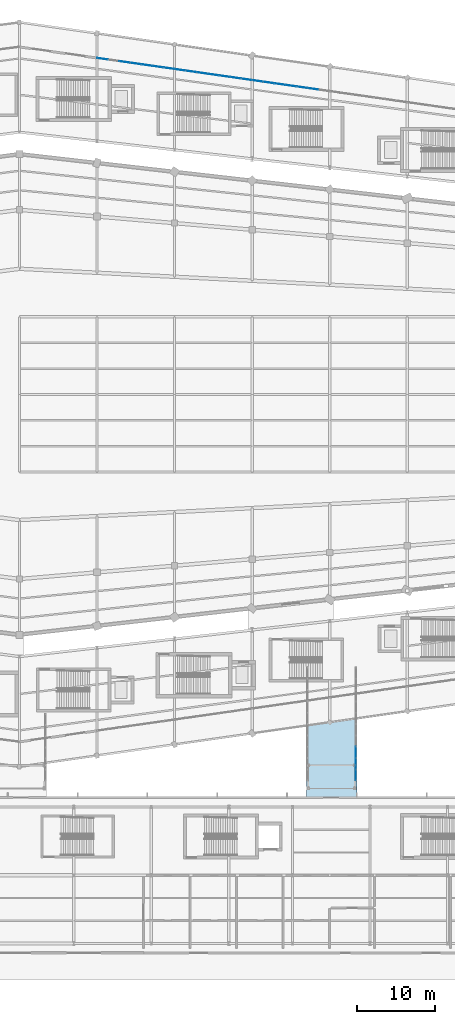
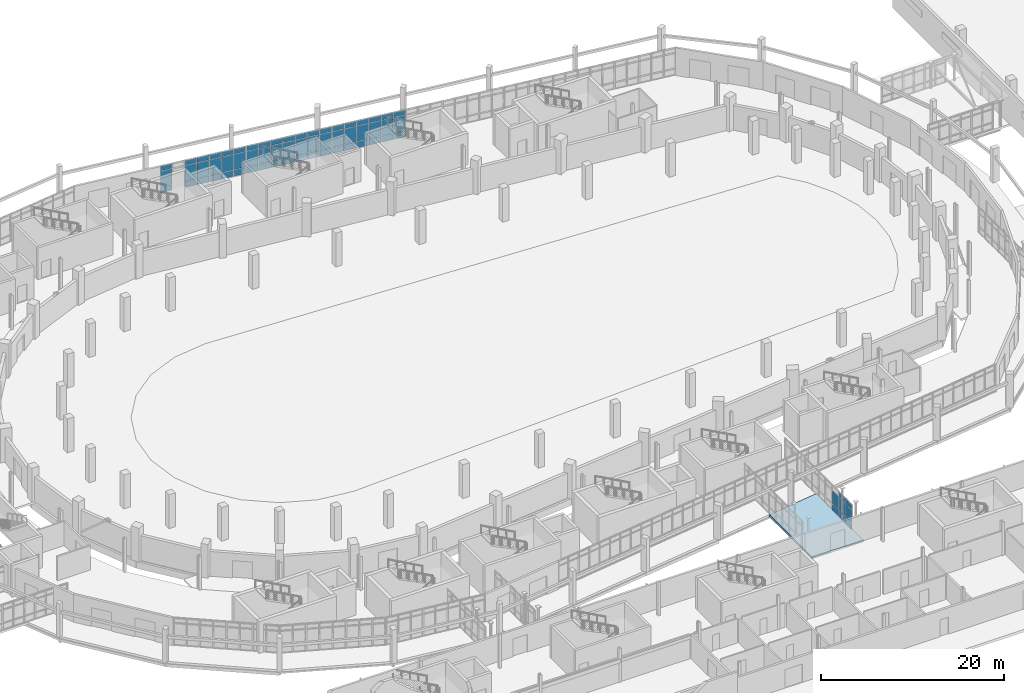
# One storey, part 89 of 122: 65 plates, 1 slab, 4 elements without a shape of their own.
"""IFC4 building model written with IfcOpenShell, lengths in metres."""

import ifcopenshell
import ifcopenshell.guid

model = None  # the IFC model being written
_history = None  # IfcOwnerHistory: only IFC2X3 demands one
_inside = {}  # id of a spatial element -> (the spatial element, [elements in it])
_under = {}  # id of a project, library or spatial element -> (it, [spatial elements below it])
_declared = {}  # id of a project -> (the project, [libraries it declares])
_typed = {}  # id of a type object -> (the type object, [elements of that type])
_made_of = {}  # id of a material, layer set ... -> (it, [elements and type objects made of it])


def new_model(schema):
    """Start an empty IFC model of exactly this schema.

    Asked for "IFC4X3", IfcOpenShell would pick the latest addendum, in which some entities
    have other attributes; the version numbers below select the first issue.
    IFC2X3 requires an IfcOwnerHistory on every rooted entity: one is made here for all.
    """
    global model, _history
    if schema == "IFC4X3":
        model = ifcopenshell.file(schema_version=(4, 3, 0, 0))
    else:
        model = ifcopenshell.file(schema=schema)
    _inside.clear()
    _under.clear()
    _declared.clear()
    _typed.clear()
    _made_of.clear()
    _history = None
    if model.schema == "IFC2X3":
        org = make("IfcOrganization", Name="unknown")
        user = make(
            "IfcPersonAndOrganization",
            ThePerson=make("IfcPerson", FamilyName="unknown"),
            TheOrganization=org,
        )
        app = make(
            "IfcApplication",
            ApplicationDeveloper=org,
            Version="unknown",
            ApplicationFullName="unknown",
            ApplicationIdentifier="unknown",
        )
        _history = make(
            "IfcOwnerHistory",
            OwningUser=user,
            OwningApplication=app,
            ChangeAction="ADDED",
            CreationDate=0,
        )
    return model


def make(cls, **values):
    """One entity of the class cls with the attributes given. An attribute that is None is left unset."""
    return model.create_entity(
        cls, **{name: value for name, value in values.items() if value is not None}
    )


def rooted(cls, **values):
    """An entity with a GlobalId (a new one), such as an element, a storey or a relation."""
    return make(cls, GlobalId=ifcopenshell.guid.new(), OwnerHistory=_history, **values)


def si_unit(unit_type, name, prefix=None):
    """IfcSIUnit, for example si_unit("LENGTHUNIT", "METRE", prefix="MILLI")."""
    return make("IfcSIUnit", UnitType=unit_type, Prefix=prefix, Name=name)


def assignment(units):
    """IfcUnitAssignment: the units of a project."""
    return None if units is None else make("IfcUnitAssignment", Units=units)


def point(xyz):
    """IfcCartesianPoint."""
    return None if xyz is None else make("IfcCartesianPoint", Coordinates=xyz)


def direction(xyz):
    """IfcDirection."""
    return None if xyz is None else make("IfcDirection", DirectionRatios=xyz)


def frame(location, z_axis=None, x_axis=None):
    """IfcAxis2Placement3D, a coordinate frame: its origin and axes. An axis left out is left unset."""
    return make(
        "IfcAxis2Placement3D",
        Location=point(location),
        Axis=direction(z_axis),
        RefDirection=direction(x_axis),
    )


def frame_2d(location, x_axis=None):
    """IfcAxis2Placement2D, a coordinate frame in the plane: its origin and x axis."""
    return make(
        "IfcAxis2Placement2D", Location=point(location), RefDirection=direction(x_axis)
    )


def origin():
    """The frame at (0, 0, 0) with its axes left unset."""
    return frame((0.0, 0.0, 0.0))


def origin_2d():
    """The frame at (0, 0) in the plane with its x axis left unset."""
    return frame_2d((0.0, 0.0))


def place(relative_to, where):
    """IfcLocalPlacement: puts the frame where relative to a parent placement (None: the world)."""
    return make(
        "IfcLocalPlacement", PlacementRelTo=relative_to, RelativePlacement=where
    )


def context(
    kind, dimensions, precision=None, world=None, true_north=None, identifier=None
):
    """IfcGeometricRepresentationContext, for example the 3D "Model" context."""
    return make(
        "IfcGeometricRepresentationContext",
        ContextIdentifier=identifier,
        ContextType=kind,
        CoordinateSpaceDimension=dimensions,
        Precision=precision,
        WorldCoordinateSystem=world,
        TrueNorth=true_north,
    )


def subcontext(parent, identifier, kind, view, scale=None):
    """IfcGeometricRepresentationSubContext, for example "Body" below "Model"."""
    return make(
        "IfcGeometricRepresentationSubContext",
        ContextIdentifier=identifier,
        ContextType=kind,
        ParentContext=parent,
        TargetScale=scale,
        TargetView=view,
    )


def project(units=None, contexts=None):
    """IfcProject with its units and contexts."""
    return rooted(
        "IfcProject",
        Name="project",
        RepresentationContexts=contexts,
        UnitsInContext=assignment(units),
    )


def spatial(cls, under=None, at=None, **own):
    """A site, building, storey or space (cls), placed at a placement, below another one or the project."""
    s = rooted(cls, ObjectPlacement=at, **own)
    if under is not None:
        _under.setdefault(under.id(), (under, []))[1].append(s)
    return s


def polyline(points):
    """IfcPolyline through the points."""
    return make("IfcPolyline", Points=[point(p) for p in points])


def profile(cls, at=None, kind="AREA", **sizes):
    """A parametric profile (cls). Its sizes go by their IFC names, for example OverallWidth=200.0."""
    return make(cls, ProfileType=kind, Position=at, **sizes)


def rectangle(**sizes):
    """IfcRectangleProfileDef."""
    return profile("IfcRectangleProfileDef", **sizes)


def outline(outer, holes=None, kind="AREA"):
    """IfcArbitraryClosedProfileDef: a profile drawn as a closed curve; with holes, ...WithVoids."""
    if holes is None:
        return make("IfcArbitraryClosedProfileDef", ProfileType=kind, OuterCurve=outer)
    return make(
        "IfcArbitraryProfileDefWithVoids",
        ProfileType=kind,
        OuterCurve=outer,
        InnerCurves=holes,
    )


def extrude(swept, where, along, depth):
    """IfcExtrudedAreaSolid: the profile swept, set in the frame where, extruded along a direction by depth."""
    return make(
        "IfcExtrudedAreaSolid",
        SweptArea=swept,
        Position=where,
        ExtrudedDirection=direction(along),
        Depth=depth,
    )


def shape(context_of_items, identifier, shape_type, items):
    """IfcShapeRepresentation: the items that make up one representation, for example the "Body"."""
    return make(
        "IfcShapeRepresentation",
        ContextOfItems=context_of_items,
        RepresentationIdentifier=identifier,
        RepresentationType=shape_type,
        Items=items,
    )


def material(Name=None, Category=None):
    """IfcMaterial."""
    return make("IfcMaterial", Name=Name, Category=Category)


def layer(
    of_material, thickness, ventilated=None, Name=None, Category=None, Priority=None
):
    """IfcMaterialLayer: one layer of a wall or slab, of a material (None: an air gap)."""
    return make(
        "IfcMaterialLayer",
        Material=of_material,
        LayerThickness=thickness,
        IsVentilated=ventilated,
        Name=Name,
        Category=Category,
        Priority=Priority,
    )


def layer_set(layers, Name=None):
    """IfcMaterialLayerSet."""
    return make("IfcMaterialLayerSet", MaterialLayers=layers, LayerSetName=Name)


def made_of(thing, what):
    """Note that an element or type object is made of a material, layer set ...; save() writes the relation."""
    if what is not None:
        _made_of.setdefault(what.id(), (what, []))[1].append(thing)
    return thing


def type_object(cls, material=None, **own):
    """A type object (cls), such as IfcWallType, which elements share."""
    return made_of(rooted(cls, **own), material)


def element(
    cls,
    number,
    at=None,
    inside=None,
    cuts=None,
    type_object=None,
    material=None,
    context=None,
    identifier="Body",
    shape_type=None,
    held_by="IfcProductDefinitionShape",
    body=None,
    shapes=None,
    **own,
):
    """One element of the class cls, such as IfcWall. Its Tag is "e" and its number.

    at: its placement. inside: the storey or other place that contains it. cuts: it is an
    opening in that element (IfcRelVoidsElement). A single representation is given by context,
    identifier, shape_type and body (its items); several are given by shapes. held_by: the class
    of the entity that holds the representations. save() writes the other relations.
    """
    e = rooted(cls, Tag="e%d" % number, ObjectPlacement=at, **own)
    if body is not None:
        shapes = [shape(context, identifier, shape_type, body)]
    if shapes is not None:
        e.Representation = make(held_by, Representations=shapes)
    if inside is not None:
        _inside.setdefault(inside.id(), (inside, []))[1].append(e)
    if cuts is not None:
        rooted(
            "IfcRelVoidsElement", RelatingBuildingElement=cuts, RelatedOpeningElement=e
        )
    if type_object is not None:
        _typed.setdefault(type_object.id(), (type_object, []))[1].append(e)
    return made_of(e, material)


def aggregate(whole, parts):
    """IfcRelAggregates: a whole, such as a stair, and the parts it consists of."""
    return rooted("IfcRelAggregates", RelatingObject=whole, RelatedObjects=parts)


def save(model, path):
    """Write the relations noted so far, then the file.

    IfcRelAggregates (storeys below a building ...), IfcRelContainedInSpatialStructure (elements
    in a storey), IfcRelDefinesByType, IfcRelAssociatesMaterial and IfcRelDeclares: one each for
    every whole, place, type object, material and project.
    """
    for whole, parts in _under.values():
        aggregate(whole, parts)
    for where, things in _inside.values():
        rooted(
            "IfcRelContainedInSpatialStructure",
            RelatedElements=things,
            RelatingStructure=where,
        )
    for kind, things in _typed.values():
        rooted("IfcRelDefinesByType", RelatedObjects=things, RelatingType=kind)
    for what, things in _made_of.values():
        rooted("IfcRelAssociatesMaterial", RelatedObjects=things, RelatingMaterial=what)
    for by, libraries in _declared.values():
        rooted("IfcRelDeclares", RelatingContext=by, RelatedDefinitions=libraries)
    model.write(path)


model = new_model("IFC4")

# Units and contexts
model_context = context("Model", 3, precision=1e-05, world=origin(), true_north=direction((0.0, 1.0)))
body_context = subcontext(model_context, "Body", "Model", "MODEL_VIEW")
ifc_project = project(units=[si_unit("LENGTHUNIT", "METRE"), si_unit("AREAUNIT", "SQUARE_METRE"), si_unit("VOLUMEUNIT", "CUBIC_METRE"), si_unit("PLANEANGLEUNIT", "RADIAN"), si_unit("MASSUNIT", "GRAM", prefix="KILO")], contexts=[model_context])

# Site, building, storey
site_placement = place(None, origin())
site = spatial("IfcSite", under=ifc_project, at=site_placement, CompositionType="ELEMENT")
building_placement = place(site_placement, origin())
building = spatial("IfcBuilding", under=site, at=building_placement, Name="Sohan Crest Arena", CompositionType="ELEMENT")
storey_placement = place(building_placement, origin())
storey = spatial("IfcBuildingStorey", under=building, at=storey_placement, Name="L00", CompositionType="ELEMENT", Elevation=0.0)

# Curtain wall, plates
ifc_material_1 = material(Name="Thermally broken anodised aluminium", Category="aluminium")
ifc_layer_1 = layer(ifc_material_1, 0.179931640625, Name="Thermally broken anodised aluminium")
ifc_layer_set_1 = layer_set([ifc_layer_1], Name="Thermally broken anodised aluminium")
curtain_wall_type_1 = type_object("IfcCurtainWallType", Name="ARC-CW01", PredefinedType="NOTDEFINED", material=ifc_layer_set_1)
curtain_wall_1_placement = place(storey_placement, origin())
curtain_wall_1 = element("IfcCurtainWall", 1, at=curtain_wall_1_placement, inside=storey, type_object=curtain_wall_type_1, Name="Unitised curtain wall CW-017", PredefinedType="NOTDEFINED")
ifc_material_2 = material(Name="Low-E double-glazed insulated glass", Category="glass")
ifc_layer_2 = layer(ifc_material_2, 0.028076171875, Name="Low-E double-glazed insulated glass")
ifc_layer_set_2 = layer_set([ifc_layer_2], Name="Low-E double-glazed insulated glass")
plate_type = type_object("IfcPlateType", Name="ARC-CNP01", PredefinedType="CURTAIN_PANEL", material=ifc_layer_set_2)
plate_1_placement = place(storey_placement, frame((135.857177734375, 117.39208984375, 0.06005859375), z_axis=(0.0, 0.0, 1.0), x_axis=(-0.989957411768, 0.141365918403, 0.0)))
plate_1 = element("IfcPlate", 2, at=plate_1_placement, type_object=plate_type, Name="CW-017 panel 2.1", PredefinedType="CURTAIN_PANEL", context=body_context, shape_type="SweptSolid", body=[
    extrude(rectangle(XDim=1.383056640625, YDim=0.028076171875, at=origin_2d()), origin(), (0.0, 0.0, 1.0), 0.81005859375),
])
plate_2_placement = place(storey_placement, frame((135.857177734375, 117.39208984375, 0.929931640625), z_axis=(0.0, 0.0, 1.0), x_axis=(-0.989957411768, 0.141365918403, 0.0)))
plate_2 = element("IfcPlate", 3, at=plate_2_placement, type_object=plate_type, Name="CW-017 panel 2.2", PredefinedType="CURTAIN_PANEL", context=body_context, shape_type="SweptSolid", body=[
    extrude(rectangle(XDim=1.383056640625, YDim=0.028076171875, at=origin_2d()), origin(), (0.0, 0.0, 1.0), 2.02001953125),
])
plate_3_placement = place(storey_placement, frame((135.857177734375, 117.39208984375, 3.009765625), z_axis=(0.0, 0.0, 1.0), x_axis=(-0.989957411768, 0.141365918403, 0.0)))
plate_3 = element("IfcPlate", 4, at=plate_3_placement, type_object=plate_type, Name="CW-017 panel 2.3", PredefinedType="CURTAIN_PANEL", context=body_context, shape_type="SweptSolid", body=[
    extrude(rectangle(XDim=1.383056640625, YDim=0.028076171875, at=origin_2d()), origin(), (0.0, 0.0, 1.0), 0.610107421875),
])
plate_4_placement = place(storey_placement, frame((134.428466796875, 117.595947265625, 0.06005859375), z_axis=(0.0, 0.0, 1.0), x_axis=(-0.989957411768, 0.141365918403, 0.0)))
plate_4 = element("IfcPlate", 5, at=plate_4_placement, type_object=plate_type, Name="CW-017 panel 3.1", PredefinedType="CURTAIN_PANEL", context=body_context, shape_type="SweptSolid", body=[
    extrude(rectangle(XDim=1.383056640625, YDim=0.028076171875, at=origin_2d()), origin(), (0.0, 0.0, 1.0), 0.81005859375),
])
plate_5_placement = place(storey_placement, frame((134.428466796875, 117.595947265625, 0.929931640625), z_axis=(0.0, 0.0, 1.0), x_axis=(-0.989957411768, 0.141365918403, 0.0)))
plate_5 = element("IfcPlate", 6, at=plate_5_placement, type_object=plate_type, Name="CW-017 panel 3.2", PredefinedType="CURTAIN_PANEL", context=body_context, shape_type="SweptSolid", body=[
    extrude(rectangle(XDim=1.383056640625, YDim=0.028076171875, at=origin_2d()), origin(), (0.0, 0.0, 1.0), 2.02001953125),
])
plate_6_placement = place(storey_placement, frame((134.428466796875, 117.595947265625, 3.009765625), z_axis=(0.0, 0.0, 1.0), x_axis=(-0.989957411768, 0.141365918403, 0.0)))
plate_6 = element("IfcPlate", 7, at=plate_6_placement, type_object=plate_type, Name="CW-017 panel 3.3", PredefinedType="CURTAIN_PANEL", context=body_context, shape_type="SweptSolid", body=[
    extrude(rectangle(XDim=1.383056640625, YDim=0.028076171875, at=origin_2d()), origin(), (0.0, 0.0, 1.0), 0.610107421875),
])
plate_7_placement = place(storey_placement, frame((133.0, 117.800048828125, 0.06005859375), z_axis=(0.0, 0.0, 1.0), x_axis=(-0.989957411768, 0.141365918403, 0.0)))
plate_7 = element("IfcPlate", 8, at=plate_7_placement, type_object=plate_type, Name="CW-017 panel 4.1", PredefinedType="CURTAIN_PANEL", context=body_context, shape_type="SweptSolid", body=[
    extrude(rectangle(XDim=1.383056640625, YDim=0.028076171875, at=origin_2d()), origin(), (0.0, 0.0, 1.0), 0.81005859375),
])
plate_8_placement = place(storey_placement, frame((133.0, 117.800048828125, 0.929931640625), z_axis=(0.0, 0.0, 1.0), x_axis=(-0.989957411768, 0.141365918403, 0.0)))
plate_8 = element("IfcPlate", 9, at=plate_8_placement, type_object=plate_type, Name="CW-017 panel 4.2", PredefinedType="CURTAIN_PANEL", context=body_context, shape_type="SweptSolid", body=[
    extrude(rectangle(XDim=1.383056640625, YDim=0.028076171875, at=origin_2d()), origin(), (0.0, 0.0, 1.0), 2.02001953125),
])
plate_9_placement = place(storey_placement, frame((133.0, 117.800048828125, 3.009765625), z_axis=(0.0, 0.0, 1.0), x_axis=(-0.989957411768, 0.141365918403, 0.0)))
plate_9 = element("IfcPlate", 10, at=plate_9_placement, type_object=plate_type, Name="CW-017 panel 4.3", PredefinedType="CURTAIN_PANEL", context=body_context, shape_type="SweptSolid", body=[
    extrude(rectangle(XDim=1.383056640625, YDim=0.028076171875, at=origin_2d()), origin(), (0.0, 0.0, 1.0), 0.610107421875),
])
plate_10_placement = place(storey_placement, frame((131.571533203125, 118.00390625, 0.06005859375), z_axis=(0.0, 0.0, 1.0), x_axis=(-0.989957411768, 0.141365918403, 0.0)))
plate_10 = element("IfcPlate", 11, at=plate_10_placement, type_object=plate_type, Name="CW-017 panel 5.1", PredefinedType="CURTAIN_PANEL", context=body_context, shape_type="SweptSolid", body=[
    extrude(rectangle(XDim=1.383056640625, YDim=0.028076171875, at=origin_2d()), origin(), (0.0, 0.0, 1.0), 0.81005859375),
])
plate_11_placement = place(storey_placement, frame((131.571533203125, 118.00390625, 0.929931640625), z_axis=(0.0, 0.0, 1.0), x_axis=(-0.989957411768, 0.141365918403, 0.0)))
plate_11 = element("IfcPlate", 12, at=plate_11_placement, type_object=plate_type, Name="CW-017 panel 5.2", PredefinedType="CURTAIN_PANEL", context=body_context, shape_type="SweptSolid", body=[
    extrude(rectangle(XDim=1.383056640625, YDim=0.028076171875, at=origin_2d()), origin(), (0.0, 0.0, 1.0), 2.02001953125),
])
plate_12_placement = place(storey_placement, frame((131.571533203125, 118.00390625, 3.009765625), z_axis=(0.0, 0.0, 1.0), x_axis=(-0.989957411768, 0.141365918403, 0.0)))
plate_12 = element("IfcPlate", 13, at=plate_12_placement, type_object=plate_type, Name="CW-017 panel 5.3", PredefinedType="CURTAIN_PANEL", context=body_context, shape_type="SweptSolid", body=[
    extrude(rectangle(XDim=1.383056640625, YDim=0.028076171875, at=origin_2d()), origin(), (0.0, 0.0, 1.0), 0.610107421875),
])
plate_13_placement = place(storey_placement, frame((130.142822265625, 118.2080078125, 0.06005859375), z_axis=(0.0, 0.0, 1.0), x_axis=(-0.989957411768, 0.141365918403, 0.0)))
plate_13 = element("IfcPlate", 14, at=plate_13_placement, type_object=plate_type, Name="CW-017 panel 6.1", PredefinedType="CURTAIN_PANEL", context=body_context, shape_type="SweptSolid", body=[
    extrude(rectangle(XDim=1.383056640625, YDim=0.028076171875, at=origin_2d()), origin(), (0.0, 0.0, 1.0), 0.81005859375),
])
plate_14_placement = place(storey_placement, frame((130.142822265625, 118.2080078125, 0.929931640625), z_axis=(0.0, 0.0, 1.0), x_axis=(-0.989957411768, 0.141365918403, 0.0)))
plate_14 = element("IfcPlate", 15, at=plate_14_placement, type_object=plate_type, Name="CW-017 panel 6.2", PredefinedType="CURTAIN_PANEL", context=body_context, shape_type="SweptSolid", body=[
    extrude(rectangle(XDim=1.383056640625, YDim=0.028076171875, at=origin_2d()), origin(), (0.0, 0.0, 1.0), 2.02001953125),
])
plate_15_placement = place(storey_placement, frame((130.142822265625, 118.2080078125, 3.009765625), z_axis=(0.0, 0.0, 1.0), x_axis=(-0.989957411768, 0.141365918403, 0.0)))
plate_15 = element("IfcPlate", 16, at=plate_15_placement, type_object=plate_type, Name="CW-017 panel 6.3", PredefinedType="CURTAIN_PANEL", context=body_context, shape_type="SweptSolid", body=[
    extrude(rectangle(XDim=1.383056640625, YDim=0.028076171875, at=origin_2d()), origin(), (0.0, 0.0, 1.0), 0.610107421875),
])
plate_16_placement = place(storey_placement, frame((128.729248046875, 118.409912109375, 0.06005859375), z_axis=(0.0, 0.0, 1.0), x_axis=(-0.989957411768, 0.141365918403, 0.0)))
plate_16 = element("IfcPlate", 17, at=plate_16_placement, type_object=plate_type, Name="CW-017 panel 7.1", PredefinedType="CURTAIN_PANEL", context=body_context, shape_type="SweptSolid", body=[
    extrude(rectangle(XDim=1.35302734375, YDim=0.028076171875, at=origin_2d()), origin(), (0.0, 0.0, 1.0), 0.81005859375),
])
plate_17_placement = place(storey_placement, frame((128.729248046875, 118.409912109375, 0.929931640625), z_axis=(0.0, 0.0, 1.0), x_axis=(-0.989957411768, 0.141365918403, 0.0)))
plate_17 = element("IfcPlate", 18, at=plate_17_placement, type_object=plate_type, Name="CW-017 panel 7.2", PredefinedType="CURTAIN_PANEL", context=body_context, shape_type="SweptSolid", body=[
    extrude(rectangle(XDim=1.35302734375, YDim=0.028076171875, at=origin_2d()), origin(), (0.0, 0.0, 1.0), 2.02001953125),
])
plate_18_placement = place(storey_placement, frame((128.729248046875, 118.409912109375, 3.009765625), z_axis=(0.0, 0.0, 1.0), x_axis=(-0.989957411768, 0.141365918403, 0.0)))
plate_18 = element("IfcPlate", 19, at=plate_18_placement, type_object=plate_type, Name="CW-017 panel 7.3", PredefinedType="CURTAIN_PANEL", context=body_context, shape_type="SweptSolid", body=[
    extrude(rectangle(XDim=1.35302734375, YDim=0.028076171875, at=origin_2d()), origin(), (0.0, 0.0, 1.0), 0.610107421875),
])
aggregate(curtain_wall_1, [plate_1, plate_2, plate_3, plate_4, plate_5, plate_6, plate_7, plate_8, plate_9, plate_10, plate_11, plate_12, plate_13, plate_14, plate_15, plate_16, plate_17, plate_18])

curtain_wall_2_placement = place(storey_placement, origin())
curtain_wall_2 = element("IfcCurtainWall", 20, at=curtain_wall_2_placement, inside=storey, type_object=curtain_wall_type_1, Name="Unitised curtain wall CW-018", PredefinedType="NOTDEFINED")
plate_19_placement = place(storey_placement, frame((127.270751953125, 118.6181640625, 0.06005859375), z_axis=(0.0, 0.0, 1.0), x_axis=(-0.989943553128, 0.141462933734, 0.0)))
plate_19 = element("IfcPlate", 21, at=plate_19_placement, type_object=plate_type, Name="CW-018 panel 1.1", PredefinedType="CURTAIN_PANEL", context=body_context, shape_type="SweptSolid", body=[
    extrude(rectangle(XDim=1.35302734375, YDim=0.028076171875, at=origin_2d()), origin(), (0.0, 0.0, 1.0), 0.81005859375),
])
plate_20_placement = place(storey_placement, frame((127.270751953125, 118.6181640625, 0.929931640625), z_axis=(0.0, 0.0, 1.0), x_axis=(-0.989943553128, 0.141462933734, 0.0)))
plate_20 = element("IfcPlate", 22, at=plate_20_placement, type_object=plate_type, Name="CW-018 panel 1.2", PredefinedType="CURTAIN_PANEL", context=body_context, shape_type="SweptSolid", body=[
    extrude(rectangle(XDim=1.35302734375, YDim=0.028076171875, at=origin_2d()), origin(), (0.0, 0.0, 1.0), 2.02001953125),
])
plate_21_placement = place(storey_placement, frame((127.270751953125, 118.6181640625, 3.009765625), z_axis=(0.0, 0.0, 1.0), x_axis=(-0.989943553128, 0.141462933734, 0.0)))
plate_21 = element("IfcPlate", 23, at=plate_21_placement, type_object=plate_type, Name="CW-018 panel 1.3", PredefinedType="CURTAIN_PANEL", context=body_context, shape_type="SweptSolid", body=[
    extrude(rectangle(XDim=1.35302734375, YDim=0.028076171875, at=origin_2d()), origin(), (0.0, 0.0, 1.0), 0.610107421875),
])
plate_22_placement = place(storey_placement, frame((125.857177734375, 118.8203125, 0.06005859375), z_axis=(0.0, 0.0, 1.0), x_axis=(-0.989943553128, 0.141462933734, 0.0)))
plate_22 = element("IfcPlate", 24, at=plate_22_placement, type_object=plate_type, Name="CW-018 panel 2.1", PredefinedType="CURTAIN_PANEL", context=body_context, shape_type="SweptSolid", body=[
    extrude(rectangle(XDim=1.383056640625, YDim=0.028076171875, at=origin_2d()), origin(), (0.0, 0.0, 1.0), 0.81005859375),
])
plate_23_placement = place(storey_placement, frame((125.857177734375, 118.8203125, 0.929931640625), z_axis=(0.0, 0.0, 1.0), x_axis=(-0.989943553128, 0.141462933734, 0.0)))
plate_23 = element("IfcPlate", 25, at=plate_23_placement, type_object=plate_type, Name="CW-018 panel 2.2", PredefinedType="CURTAIN_PANEL", context=body_context, shape_type="SweptSolid", body=[
    extrude(rectangle(XDim=1.383056640625, YDim=0.028076171875, at=origin_2d()), origin(), (0.0, 0.0, 1.0), 2.02001953125),
])
plate_24_placement = place(storey_placement, frame((125.857177734375, 118.8203125, 3.009765625), z_axis=(0.0, 0.0, 1.0), x_axis=(-0.989943553128, 0.141462933734, 0.0)))
plate_24 = element("IfcPlate", 26, at=plate_24_placement, type_object=plate_type, Name="CW-018 panel 2.3", PredefinedType="CURTAIN_PANEL", context=body_context, shape_type="SweptSolid", body=[
    extrude(rectangle(XDim=1.383056640625, YDim=0.028076171875, at=origin_2d()), origin(), (0.0, 0.0, 1.0), 0.610107421875),
])
plate_25_placement = place(storey_placement, frame((124.428466796875, 119.0244140625, 0.06005859375), z_axis=(0.0, 0.0, 1.0), x_axis=(-0.989943553128, 0.141462933734, 0.0)))
plate_25 = element("IfcPlate", 27, at=plate_25_placement, type_object=plate_type, Name="CW-018 panel 3.1", PredefinedType="CURTAIN_PANEL", context=body_context, shape_type="SweptSolid", body=[
    extrude(rectangle(XDim=1.383056640625, YDim=0.028076171875, at=origin_2d()), origin(), (0.0, 0.0, 1.0), 0.81005859375),
])
plate_26_placement = place(storey_placement, frame((124.428466796875, 119.0244140625, 0.929931640625), z_axis=(0.0, 0.0, 1.0), x_axis=(-0.989943553128, 0.141462933734, 0.0)))
plate_26 = element("IfcPlate", 28, at=plate_26_placement, type_object=plate_type, Name="CW-018 panel 3.2", PredefinedType="CURTAIN_PANEL", context=body_context, shape_type="SweptSolid", body=[
    extrude(rectangle(XDim=1.383056640625, YDim=0.028076171875, at=origin_2d()), origin(), (0.0, 0.0, 1.0), 2.02001953125),
])
plate_27_placement = place(storey_placement, frame((124.428466796875, 119.0244140625, 3.009765625), z_axis=(0.0, 0.0, 1.0), x_axis=(-0.989943553128, 0.141462933734, 0.0)))
plate_27 = element("IfcPlate", 29, at=plate_27_placement, type_object=plate_type, Name="CW-018 panel 3.3", PredefinedType="CURTAIN_PANEL", context=body_context, shape_type="SweptSolid", body=[
    extrude(rectangle(XDim=1.383056640625, YDim=0.028076171875, at=origin_2d()), origin(), (0.0, 0.0, 1.0), 0.610107421875),
])
plate_28_placement = place(storey_placement, frame((123.0, 119.228515625, 0.06005859375), z_axis=(0.0, 0.0, 1.0), x_axis=(-0.989943553128, 0.141462933734, 0.0)))
plate_28 = element("IfcPlate", 30, at=plate_28_placement, type_object=plate_type, Name="CW-018 panel 4.1", PredefinedType="CURTAIN_PANEL", context=body_context, shape_type="SweptSolid", body=[
    extrude(rectangle(XDim=1.383056640625, YDim=0.028076171875, at=origin_2d()), origin(), (0.0, 0.0, 1.0), 0.81005859375),
])
plate_29_placement = place(storey_placement, frame((123.0, 119.228515625, 0.929931640625), z_axis=(0.0, 0.0, 1.0), x_axis=(-0.989943553128, 0.141462933734, 0.0)))
plate_29 = element("IfcPlate", 31, at=plate_29_placement, type_object=plate_type, Name="CW-018 panel 4.2", PredefinedType="CURTAIN_PANEL", context=body_context, shape_type="SweptSolid", body=[
    extrude(rectangle(XDim=1.383056640625, YDim=0.028076171875, at=origin_2d()), origin(), (0.0, 0.0, 1.0), 2.02001953125),
])
plate_30_placement = place(storey_placement, frame((123.0, 119.228515625, 3.009765625), z_axis=(0.0, 0.0, 1.0), x_axis=(-0.989943553128, 0.141462933734, 0.0)))
plate_30 = element("IfcPlate", 32, at=plate_30_placement, type_object=plate_type, Name="CW-018 panel 4.3", PredefinedType="CURTAIN_PANEL", context=body_context, shape_type="SweptSolid", body=[
    extrude(rectangle(XDim=1.383056640625, YDim=0.028076171875, at=origin_2d()), origin(), (0.0, 0.0, 1.0), 0.610107421875),
])
plate_31_placement = place(storey_placement, frame((121.571533203125, 119.4326171875, 0.06005859375), z_axis=(0.0, 0.0, 1.0), x_axis=(-0.989943553128, 0.141462933734, 0.0)))
plate_31 = element("IfcPlate", 33, at=plate_31_placement, type_object=plate_type, Name="CW-018 panel 5.1", PredefinedType="CURTAIN_PANEL", context=body_context, shape_type="SweptSolid", body=[
    extrude(rectangle(XDim=1.383056640625, YDim=0.028076171875, at=origin_2d()), origin(), (0.0, 0.0, 1.0), 0.81005859375),
])
plate_32_placement = place(storey_placement, frame((121.571533203125, 119.4326171875, 0.929931640625), z_axis=(0.0, 0.0, 1.0), x_axis=(-0.989943553128, 0.141462933734, 0.0)))
plate_32 = element("IfcPlate", 34, at=plate_32_placement, type_object=plate_type, Name="CW-018 panel 5.2", PredefinedType="CURTAIN_PANEL", context=body_context, shape_type="SweptSolid", body=[
    extrude(rectangle(XDim=1.383056640625, YDim=0.028076171875, at=origin_2d()), origin(), (0.0, 0.0, 1.0), 2.02001953125),
])
plate_33_placement = place(storey_placement, frame((121.571533203125, 119.4326171875, 3.009765625), z_axis=(0.0, 0.0, 1.0), x_axis=(-0.989943553128, 0.141462933734, 0.0)))
plate_33 = element("IfcPlate", 35, at=plate_33_placement, type_object=plate_type, Name="CW-018 panel 5.3", PredefinedType="CURTAIN_PANEL", context=body_context, shape_type="SweptSolid", body=[
    extrude(rectangle(XDim=1.383056640625, YDim=0.028076171875, at=origin_2d()), origin(), (0.0, 0.0, 1.0), 0.610107421875),
])
plate_34_placement = place(storey_placement, frame((120.142822265625, 119.63671875, 0.06005859375), z_axis=(0.0, 0.0, 1.0), x_axis=(-0.989943553128, 0.141462933734, 0.0)))
plate_34 = element("IfcPlate", 36, at=plate_34_placement, type_object=plate_type, Name="CW-018 panel 6.1", PredefinedType="CURTAIN_PANEL", context=body_context, shape_type="SweptSolid", body=[
    extrude(rectangle(XDim=1.383056640625, YDim=0.028076171875, at=origin_2d()), origin(), (0.0, 0.0, 1.0), 0.81005859375),
])
plate_35_placement = place(storey_placement, frame((120.142822265625, 119.63671875, 0.929931640625), z_axis=(0.0, 0.0, 1.0), x_axis=(-0.989943553128, 0.141462933734, 0.0)))
plate_35 = element("IfcPlate", 37, at=plate_35_placement, type_object=plate_type, Name="CW-018 panel 6.2", PredefinedType="CURTAIN_PANEL", context=body_context, shape_type="SweptSolid", body=[
    extrude(rectangle(XDim=1.383056640625, YDim=0.028076171875, at=origin_2d()), origin(), (0.0, 0.0, 1.0), 2.02001953125),
])
plate_36_placement = place(storey_placement, frame((120.142822265625, 119.63671875, 3.009765625), z_axis=(0.0, 0.0, 1.0), x_axis=(-0.989943553128, 0.141462933734, 0.0)))
plate_36 = element("IfcPlate", 38, at=plate_36_placement, type_object=plate_type, Name="CW-018 panel 6.3", PredefinedType="CURTAIN_PANEL", context=body_context, shape_type="SweptSolid", body=[
    extrude(rectangle(XDim=1.383056640625, YDim=0.028076171875, at=origin_2d()), origin(), (0.0, 0.0, 1.0), 0.610107421875),
])
plate_37_placement = place(storey_placement, frame((118.729248046875, 119.8388671875, 0.06005859375), z_axis=(0.0, 0.0, 1.0), x_axis=(-0.989943553128, 0.141462933734, 0.0)))
plate_37 = element("IfcPlate", 39, at=plate_37_placement, type_object=plate_type, Name="CW-018 panel 7.1", PredefinedType="CURTAIN_PANEL", context=body_context, shape_type="SweptSolid", body=[
    extrude(rectangle(XDim=1.35302734375, YDim=0.028076171875, at=origin_2d()), origin(), (0.0, 0.0, 1.0), 0.81005859375),
])
plate_38_placement = place(storey_placement, frame((118.729248046875, 119.8388671875, 0.929931640625), z_axis=(0.0, 0.0, 1.0), x_axis=(-0.989943553128, 0.141462933734, 0.0)))
plate_38 = element("IfcPlate", 40, at=plate_38_placement, type_object=plate_type, Name="CW-018 panel 7.2", PredefinedType="CURTAIN_PANEL", context=body_context, shape_type="SweptSolid", body=[
    extrude(rectangle(XDim=1.35302734375, YDim=0.028076171875, at=origin_2d()), origin(), (0.0, 0.0, 1.0), 2.02001953125),
])
plate_39_placement = place(storey_placement, frame((118.729248046875, 119.8388671875, 3.009765625), z_axis=(0.0, 0.0, 1.0), x_axis=(-0.989943553128, 0.141462933734, 0.0)))
plate_39 = element("IfcPlate", 41, at=plate_39_placement, type_object=plate_type, Name="CW-018 panel 7.3", PredefinedType="CURTAIN_PANEL", context=body_context, shape_type="SweptSolid", body=[
    extrude(rectangle(XDim=1.35302734375, YDim=0.028076171875, at=origin_2d()), origin(), (0.0, 0.0, 1.0), 0.610107421875),
])
aggregate(curtain_wall_2, [plate_19, plate_20, plate_21, plate_22, plate_23, plate_24, plate_25, plate_26, plate_27, plate_28, plate_29, plate_30, plate_31, plate_32, plate_33, plate_34, plate_35, plate_36, plate_37, plate_38, plate_39])

curtain_wall_3_placement = place(storey_placement, origin())
curtain_wall_3 = element("IfcCurtainWall", 42, at=curtain_wall_3_placement, inside=storey, type_object=curtain_wall_type_1, Name="Unitised curtain wall CW-019", PredefinedType="NOTDEFINED")
plate_40_placement = place(storey_placement, frame((117.270751953125, 120.047119140625, 0.06005859375), z_axis=(0.0, 0.0, 1.0), x_axis=(-0.989957411768, 0.141365918403, 0.0)))
plate_40 = element("IfcPlate", 43, at=plate_40_placement, type_object=plate_type, Name="CW-019 panel 1.1", PredefinedType="CURTAIN_PANEL", context=body_context, shape_type="SweptSolid", body=[
    extrude(rectangle(XDim=1.35302734375, YDim=0.028076171875, at=origin_2d()), origin(), (0.0, 0.0, 1.0), 0.81005859375),
])
plate_41_placement = place(storey_placement, frame((117.270751953125, 120.047119140625, 0.929931640625), z_axis=(0.0, 0.0, 1.0), x_axis=(-0.989957411768, 0.141365918403, 0.0)))
plate_41 = element("IfcPlate", 44, at=plate_41_placement, type_object=plate_type, Name="CW-019 panel 1.2", PredefinedType="CURTAIN_PANEL", context=body_context, shape_type="SweptSolid", body=[
    extrude(rectangle(XDim=1.35302734375, YDim=0.028076171875, at=origin_2d()), origin(), (0.0, 0.0, 1.0), 2.02001953125),
])
plate_42_placement = place(storey_placement, frame((117.270751953125, 120.047119140625, 3.009765625), z_axis=(0.0, 0.0, 1.0), x_axis=(-0.989957411768, 0.141365918403, 0.0)))
plate_42 = element("IfcPlate", 45, at=plate_42_placement, type_object=plate_type, Name="CW-019 panel 1.3", PredefinedType="CURTAIN_PANEL", context=body_context, shape_type="SweptSolid", body=[
    extrude(rectangle(XDim=1.35302734375, YDim=0.028076171875, at=origin_2d()), origin(), (0.0, 0.0, 1.0), 0.610107421875),
])
plate_43_placement = place(storey_placement, frame((115.857177734375, 120.2490234375, 0.06005859375), z_axis=(0.0, 0.0, 1.0), x_axis=(-0.989957411768, 0.141365918403, 0.0)))
plate_43 = element("IfcPlate", 46, at=plate_43_placement, type_object=plate_type, Name="CW-019 panel 2.1", PredefinedType="CURTAIN_PANEL", context=body_context, shape_type="SweptSolid", body=[
    extrude(rectangle(XDim=1.383056640625, YDim=0.028076171875, at=origin_2d()), origin(), (0.0, 0.0, 1.0), 0.81005859375),
])
plate_44_placement = place(storey_placement, frame((115.857177734375, 120.2490234375, 0.929931640625), z_axis=(0.0, 0.0, 1.0), x_axis=(-0.989957411768, 0.141365918403, 0.0)))
plate_44 = element("IfcPlate", 47, at=plate_44_placement, type_object=plate_type, Name="CW-019 panel 2.2", PredefinedType="CURTAIN_PANEL", context=body_context, shape_type="SweptSolid", body=[
    extrude(rectangle(XDim=1.383056640625, YDim=0.028076171875, at=origin_2d()), origin(), (0.0, 0.0, 1.0), 2.02001953125),
])
plate_45_placement = place(storey_placement, frame((115.857177734375, 120.2490234375, 3.009765625), z_axis=(0.0, 0.0, 1.0), x_axis=(-0.989957411768, 0.141365918403, 0.0)))
plate_45 = element("IfcPlate", 48, at=plate_45_placement, type_object=plate_type, Name="CW-019 panel 2.3", PredefinedType="CURTAIN_PANEL", context=body_context, shape_type="SweptSolid", body=[
    extrude(rectangle(XDim=1.383056640625, YDim=0.028076171875, at=origin_2d()), origin(), (0.0, 0.0, 1.0), 0.610107421875),
])
plate_46_placement = place(storey_placement, frame((114.428466796875, 120.452880859375, 0.06005859375), z_axis=(0.0, 0.0, 1.0), x_axis=(-0.989957411768, 0.141365918403, 0.0)))
plate_46 = element("IfcPlate", 49, at=plate_46_placement, type_object=plate_type, Name="CW-019 panel 3.1", PredefinedType="CURTAIN_PANEL", context=body_context, shape_type="SweptSolid", body=[
    extrude(rectangle(XDim=1.383056640625, YDim=0.028076171875, at=origin_2d()), origin(), (0.0, 0.0, 1.0), 0.81005859375),
])
plate_47_placement = place(storey_placement, frame((114.428466796875, 120.452880859375, 0.929931640625), z_axis=(0.0, 0.0, 1.0), x_axis=(-0.989957411768, 0.141365918403, 0.0)))
plate_47 = element("IfcPlate", 50, at=plate_47_placement, type_object=plate_type, Name="CW-019 panel 3.2", PredefinedType="CURTAIN_PANEL", context=body_context, shape_type="SweptSolid", body=[
    extrude(rectangle(XDim=1.383056640625, YDim=0.028076171875, at=origin_2d()), origin(), (0.0, 0.0, 1.0), 2.02001953125),
])
plate_48_placement = place(storey_placement, frame((114.428466796875, 120.452880859375, 3.009765625), z_axis=(0.0, 0.0, 1.0), x_axis=(-0.989957411768, 0.141365918403, 0.0)))
plate_48 = element("IfcPlate", 51, at=plate_48_placement, type_object=plate_type, Name="CW-019 panel 3.3", PredefinedType="CURTAIN_PANEL", context=body_context, shape_type="SweptSolid", body=[
    extrude(rectangle(XDim=1.383056640625, YDim=0.028076171875, at=origin_2d()), origin(), (0.0, 0.0, 1.0), 0.610107421875),
])
plate_49_placement = place(storey_placement, frame((113.0, 120.656982421875, 0.06005859375), z_axis=(0.0, 0.0, 1.0), x_axis=(-0.989957411768, 0.141365918403, 0.0)))
plate_49 = element("IfcPlate", 52, at=plate_49_placement, type_object=plate_type, Name="CW-019 panel 4.1", PredefinedType="CURTAIN_PANEL", context=body_context, shape_type="SweptSolid", body=[
    extrude(rectangle(XDim=1.383056640625, YDim=0.028076171875, at=origin_2d()), origin(), (0.0, 0.0, 1.0), 0.81005859375),
])
plate_50_placement = place(storey_placement, frame((113.0, 120.656982421875, 0.929931640625), z_axis=(0.0, 0.0, 1.0), x_axis=(-0.989957411768, 0.141365918403, 0.0)))
plate_50 = element("IfcPlate", 53, at=plate_50_placement, type_object=plate_type, Name="CW-019 panel 4.2", PredefinedType="CURTAIN_PANEL", context=body_context, shape_type="SweptSolid", body=[
    extrude(rectangle(XDim=1.383056640625, YDim=0.028076171875, at=origin_2d()), origin(), (0.0, 0.0, 1.0), 2.02001953125),
])
plate_51_placement = place(storey_placement, frame((113.0, 120.656982421875, 3.009765625), z_axis=(0.0, 0.0, 1.0), x_axis=(-0.989957411768, 0.141365918403, 0.0)))
plate_51 = element("IfcPlate", 54, at=plate_51_placement, type_object=plate_type, Name="CW-019 panel 4.3", PredefinedType="CURTAIN_PANEL", context=body_context, shape_type="SweptSolid", body=[
    extrude(rectangle(XDim=1.383056640625, YDim=0.028076171875, at=origin_2d()), origin(), (0.0, 0.0, 1.0), 0.610107421875),
])
plate_52_placement = place(storey_placement, frame((111.571533203125, 120.861083984375, 0.06005859375), z_axis=(0.0, 0.0, 1.0), x_axis=(-0.989957411768, 0.141365918403, 0.0)))
plate_52 = element("IfcPlate", 55, at=plate_52_placement, type_object=plate_type, Name="CW-019 panel 5.1", PredefinedType="CURTAIN_PANEL", context=body_context, shape_type="SweptSolid", body=[
    extrude(rectangle(XDim=1.383056640625, YDim=0.028076171875, at=origin_2d()), origin(), (0.0, 0.0, 1.0), 0.81005859375),
])
plate_53_placement = place(storey_placement, frame((111.571533203125, 120.861083984375, 0.929931640625), z_axis=(0.0, 0.0, 1.0), x_axis=(-0.989957411768, 0.141365918403, 0.0)))
plate_53 = element("IfcPlate", 56, at=plate_53_placement, type_object=plate_type, Name="CW-019 panel 5.2", PredefinedType="CURTAIN_PANEL", context=body_context, shape_type="SweptSolid", body=[
    extrude(rectangle(XDim=1.383056640625, YDim=0.028076171875, at=origin_2d()), origin(), (0.0, 0.0, 1.0), 2.02001953125),
])
plate_54_placement = place(storey_placement, frame((111.571533203125, 120.861083984375, 3.009765625), z_axis=(0.0, 0.0, 1.0), x_axis=(-0.989957411768, 0.141365918403, 0.0)))
plate_54 = element("IfcPlate", 57, at=plate_54_placement, type_object=plate_type, Name="CW-019 panel 5.3", PredefinedType="CURTAIN_PANEL", context=body_context, shape_type="SweptSolid", body=[
    extrude(rectangle(XDim=1.383056640625, YDim=0.028076171875, at=origin_2d()), origin(), (0.0, 0.0, 1.0), 0.610107421875),
])
plate_55_placement = place(storey_placement, frame((108.729248046875, 121.266845703125, 0.06005859375), z_axis=(0.0, 0.0, 1.0), x_axis=(-0.989957411768, 0.141365918403, 0.0)))
plate_55 = element("IfcPlate", 58, at=plate_55_placement, type_object=plate_type, Name="CW-019 panel 7.1", PredefinedType="CURTAIN_PANEL", context=body_context, shape_type="SweptSolid", body=[
    extrude(rectangle(XDim=1.35302734375, YDim=0.028076171875, at=origin_2d()), origin(), (0.0, 0.0, 1.0), 0.81005859375),
])
plate_56_placement = place(storey_placement, frame((108.729248046875, 121.266845703125, 0.929931640625), z_axis=(0.0, 0.0, 1.0), x_axis=(-0.989957411768, 0.141365918403, 0.0)))
plate_56 = element("IfcPlate", 59, at=plate_56_placement, type_object=plate_type, Name="CW-019 panel 7.2", PredefinedType="CURTAIN_PANEL", context=body_context, shape_type="SweptSolid", body=[
    extrude(rectangle(XDim=1.35302734375, YDim=0.028076171875, at=origin_2d()), origin(), (0.0, 0.0, 1.0), 2.02001953125),
])
plate_57_placement = place(storey_placement, frame((108.729248046875, 121.266845703125, 3.009765625), z_axis=(0.0, 0.0, 1.0), x_axis=(-0.989957411768, 0.141365918403, 0.0)))
plate_57 = element("IfcPlate", 60, at=plate_57_placement, type_object=plate_type, Name="CW-019 panel 7.3", PredefinedType="CURTAIN_PANEL", context=body_context, shape_type="SweptSolid", body=[
    extrude(rectangle(XDim=1.35302734375, YDim=0.028076171875, at=origin_2d()), origin(), (0.0, 0.0, 1.0), 0.610107421875),
])
aggregate(curtain_wall_3, [plate_40, plate_41, plate_42, plate_43, plate_44, plate_45, plate_46, plate_47, plate_48, plate_49, plate_50, plate_51, plate_52, plate_53, plate_54, plate_55, plate_56, plate_57])

ifc_layer_3 = layer(ifc_material_1, 0.18994140625, Name="Thermally broken anodised aluminium")
ifc_layer_set_3 = layer_set([ifc_layer_3], Name="Thermally broken anodised aluminium")
curtain_wall_type_2 = type_object("IfcCurtainWallType", Name="ARC-CW05", PredefinedType="NOTDEFINED", material=ifc_layer_set_3)
curtain_wall_4_placement = place(storey_placement, origin())
curtain_wall_4 = element("IfcCurtainWall", 61, at=curtain_wall_4_placement, inside=storey, type_object=curtain_wall_type_2, Name="Unitised curtain wall CW-254", PredefinedType="NOTDEFINED")
plate_58_placement = place(storey_placement, frame((141.3798828125, 28.9462890625, 0.06005859375), z_axis=(0.0, 0.0, 1.0), x_axis=(0.0, 1.0, 0.0)))
plate_58 = element("IfcPlate", 62, at=plate_58_placement, type_object=plate_type, Name="CW-254 panel 1.1", PredefinedType="CURTAIN_PANEL", context=body_context, shape_type="SweptSolid", body=[
    extrude(rectangle(XDim=1.362548828125, YDim=0.028076171875, at=origin_2d()), origin(), (0.0, 0.0, 1.0), 0.81005859375),
])
plate_59_placement = place(storey_placement, frame((141.3798828125, 28.9462890625, 0.93017578125), z_axis=(0.0, 0.0, 1.0), x_axis=(0.0, 1.0, 0.0)))
plate_59 = element("IfcPlate", 63, at=plate_59_placement, type_object=plate_type, Name="CW-254 panel 1.2", PredefinedType="CURTAIN_PANEL", context=body_context, shape_type="SweptSolid", body=[
    extrude(rectangle(XDim=1.362548828125, YDim=0.028076171875, at=origin_2d()), origin(), (0.0, 0.0, 1.0), 1.739990234375),
])
plate_60_placement = place(storey_placement, frame((141.3798828125, 28.9462890625, 2.72998046875), z_axis=(0.0, 0.0, 1.0), x_axis=(0.0, 1.0, 0.0)))
plate_60 = element("IfcPlate", 64, at=plate_60_placement, type_object=plate_type, Name="CW-254 panel 1.3", PredefinedType="CURTAIN_PANEL", context=body_context, shape_type="SweptSolid", body=[
    extrude(rectangle(XDim=1.362548828125, YDim=0.028076171875, at=origin_2d()), origin(), (0.0, 0.0, 1.0), 0.610107421875),
])
plate_61_placement = place(storey_placement, frame((141.3798828125, 30.389892578125, 0.06005859375), z_axis=(0.0, 0.0, 1.0), x_axis=(0.0, 1.0, 0.0)))
plate_61 = element("IfcPlate", 65, at=plate_61_placement, type_object=plate_type, Name="CW-254 panel 2.1", PredefinedType="CURTAIN_PANEL", context=body_context, shape_type="SweptSolid", body=[
    extrude(rectangle(XDim=1.39501953125, YDim=0.028076171875, at=origin_2d()), origin(), (0.0, 0.0, 1.0), 0.81005859375),
])
plate_62_placement = place(storey_placement, frame((141.3798828125, 30.389892578125, 0.93017578125), z_axis=(0.0, 0.0, 1.0), x_axis=(0.0, 1.0, 0.0)))
plate_62 = element("IfcPlate", 66, at=plate_62_placement, type_object=plate_type, Name="CW-254 panel 2.2", PredefinedType="CURTAIN_PANEL", context=body_context, shape_type="SweptSolid", body=[
    extrude(rectangle(XDim=1.39501953125, YDim=0.028076171875, at=origin_2d()), origin(), (0.0, 0.0, 1.0), 1.739990234375),
])
plate_63_placement = place(storey_placement, frame((141.3798828125, 30.389892578125, 2.72998046875), z_axis=(0.0, 0.0, 1.0), x_axis=(0.0, 1.0, 0.0)))
plate_63 = element("IfcPlate", 67, at=plate_63_placement, type_object=plate_type, Name="CW-254 panel 2.3", PredefinedType="CURTAIN_PANEL", context=body_context, shape_type="SweptSolid", body=[
    extrude(rectangle(XDim=1.39501953125, YDim=0.028076171875, at=origin_2d()), origin(), (0.0, 0.0, 1.0), 0.610107421875),
])
plate_64_placement = place(storey_placement, frame((141.3798828125, 31.85009765625, 0.06005859375), z_axis=(0.0, 0.0, 1.0), x_axis=(0.0, 1.0, 0.0)))
plate_64 = element("IfcPlate", 68, at=plate_64_placement, type_object=plate_type, Name="CW-254 panel 3.1", PredefinedType="CURTAIN_PANEL", context=body_context, shape_type="SweptSolid", body=[
    extrude(rectangle(XDim=1.39501953125, YDim=0.028076171875, at=origin_2d()), origin(), (0.0, 0.0, 1.0), 0.81005859375),
])
plate_65_placement = place(storey_placement, frame((141.3798828125, 31.85009765625, 0.93017578125), z_axis=(0.0, 0.0, 1.0), x_axis=(0.0, 1.0, 0.0)))
plate_65 = element("IfcPlate", 69, at=plate_65_placement, type_object=plate_type, Name="CW-254 panel 3.2", PredefinedType="CURTAIN_PANEL", context=body_context, shape_type="SweptSolid", body=[
    extrude(rectangle(XDim=1.39501953125, YDim=0.028076171875, at=origin_2d()), origin(), (0.0, 0.0, 1.0), 1.739990234375),
])
aggregate(curtain_wall_4, [plate_58, plate_59, plate_60, plate_61, plate_62, plate_63, plate_64, plate_65])

# Slab
ifc_material_3 = material(Name="Concrete C40/50", Category="concrete")
ifc_layer_4 = layer(ifc_material_3, 0.27490234375, Name="Concrete C40/50")
ifc_layer_set_4 = layer_set([ifc_layer_4], Name="Concrete C40/50")
slab_type = type_object("IfcSlabType", Name="SL-FLR4", PredefinedType="FLOOR", material=ifc_layer_set_4)
slab_placement = place(storey_placement, frame((0.0, 0.0, -0.27490234375)))
element("IfcSlab", 70, at=slab_placement, inside=storey, type_object=slab_type, Name="Covered bridge BR-S2 L00 deck SL-BR-S2-L00", PredefinedType="FLOOR", context=body_context, shape_type="SweptSolid", body=[
    extrude(outline(polyline([(141.5, 26.0), (135.0, 26.0), (135.0, 35.285888671875), (141.5, 36.214111328125), (141.5, 26.0)])), origin(), (0.0, 0.0, 1.0), 0.27490234375),
])

save(model, "model.ifc")
